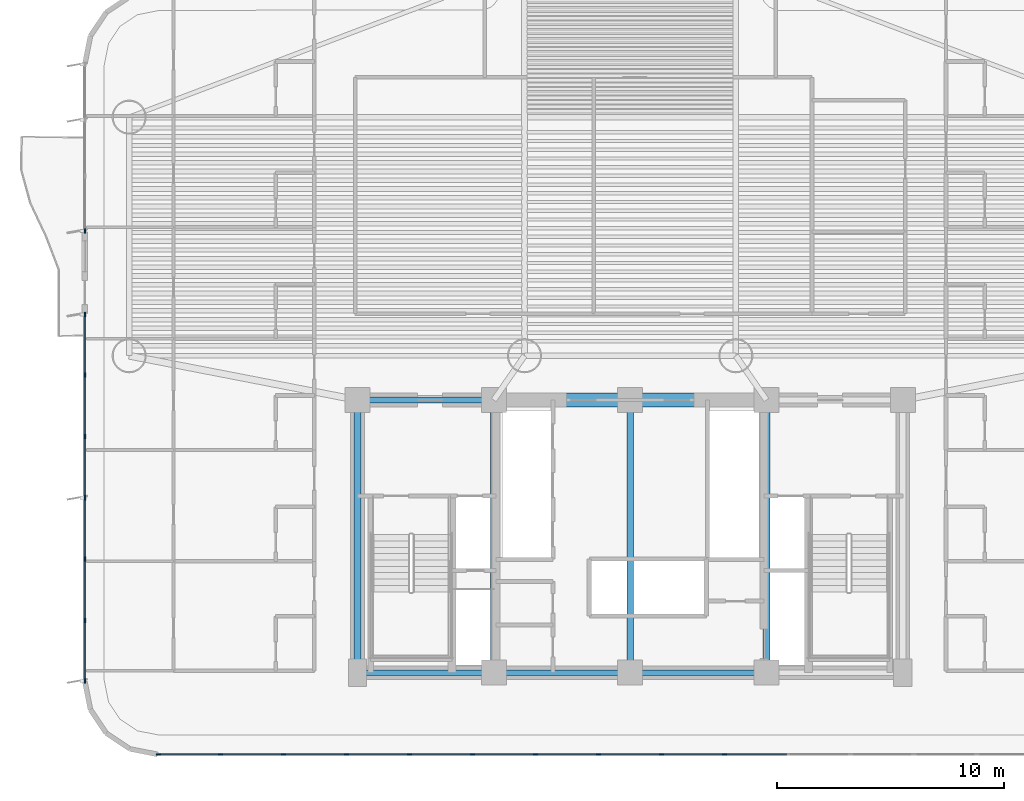
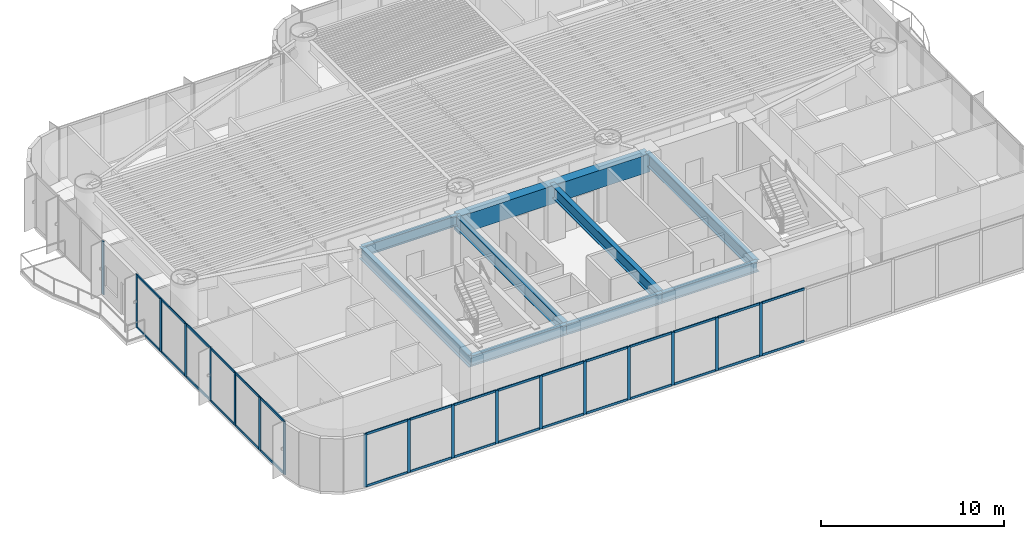
# One storey, part 2 of 19: 50 members, 9 beams, 3 elements without a shape of their own.
"""IFC4 building model written with IfcOpenShell, lengths in metres."""

from ifc_helpers import new_model, si_unit, direction, frame, origin, origin_2d, place, context, subcontext, project, spatial, rectangle, i_section, extrude, source, transform, mapped, material, layer, layer_set, material_profile, profile_set, type_object, element, aggregate, save


model = new_model("IFC4")

# Units and contexts
model_context = context("Model", 3, precision=1e-05, world=origin(), true_north=direction((0.0, 1.0)))
body_context = subcontext(model_context, "Body", "Model", "MODEL_VIEW")
ifc_project = project(units=[si_unit("LENGTHUNIT", "METRE"), si_unit("AREAUNIT", "SQUARE_METRE"), si_unit("VOLUMEUNIT", "CUBIC_METRE"), si_unit("PLANEANGLEUNIT", "RADIAN"), si_unit("MASSUNIT", "GRAM", prefix="KILO")], contexts=[model_context])

# Site, building, storey
site_placement = place(None, origin())
site = spatial("IfcSite", under=ifc_project, at=site_placement, CompositionType="ELEMENT")
building_placement = place(site_placement, origin())
building = spatial("IfcBuilding", under=site, at=building_placement, Name="Brelvock Crest Care Tower", CompositionType="ELEMENT")
storey_placement = place(building_placement, frame((0.0, 0.0, 68.580078125)))
storey = spatial("IfcBuildingStorey", under=building, at=storey_placement, Name="L17", CompositionType="ELEMENT", Elevation=68.580078125)

# Beams
ifc_material_1 = material(Name="Concrete S80 (80 MPa)", Category="concrete")
ifc_material_profile_1 = material_profile(ifc_material_1, rectangle(XDim=0.60009765625, YDim=1.199951171875, at=origin_2d()), Name="RC600x1200")
ifc_profile_set_1 = profile_set([ifc_material_profile_1], Name="Concrete S80 (80 MPa)")
beam_type_1 = type_object("IfcBeamType", Name="BM-LN1", PredefinedType="LINTEL", material=ifc_profile_set_1)
shared_shape_1 = source(origin(), body_context, "Body", "SweptSolid", [
    extrude(rectangle(XDim=0.60009765625, YDim=1.199951171875, at=origin_2d()), origin(), (0.0, 0.0, 1.0), 12.0),
])
beam_placement = place(storey_placement, frame((30.0, 18.0, 2.929931640625), z_axis=(1.0, 0.0, 0.0), x_axis=(0.0, 1.0, 0.0)))
element("IfcBeam", 1, at=beam_placement, inside=storey, type_object=beam_type_1, Name="L17 Core Coupling Lintel Beam", PredefinedType="LINTEL", context=body_context, shape_type="MappedRepresentation", body=[
    mapped(shared_shape_1, transform((0.0, 0.0, 0.0), x_axis=(1.0, 0.0, 0.0), y_axis=(0.0, 1.0, 0.0), z_axis=(0.0, 0.0, 1.0), scale=1.0)),
])
ifc_material_2 = material(Name="Steel Grade 350", Category="steel")
ifc_material_profile_2 = material_profile(ifc_material_2, i_section(OverallWidth=0.25, OverallDepth=0.699951171875, WebThickness=0.011962890625, FlangeThickness=0.02001953125, at=origin_2d()), Name="700WB150")
ifc_profile_set_2 = profile_set([ifc_material_profile_2], Name="Steel Grade 350")
beam_type_2 = type_object("IfcBeamType", Name="BM-G4", PredefinedType="BEAM", material=ifc_profile_set_2)
shared_shape_2 = source(origin(), body_context, "Body", "SweptSolid", [
    extrude(i_section(OverallWidth=0.25, OverallDepth=0.699951171875, WebThickness=0.011962890625, FlangeThickness=0.02001953125, at=origin_2d()), origin(), (0.0, 0.0, 1.0), 6.0),
])
for number, where, z_axis, x_axis, name in (
    (2, (24.0, 6.0, 3.179931640625), (1.0, 0.0, 0.0), (0.0, 1.0, 0.0), "BM-CORES-L17-1"),
    (3, (24.0, 18.0, 3.179931640625), (1.0, 0.0, 0.0), (0.0, 1.0, 0.0), "BM-COREN-L17-1"),
    (4, (30.0, 6.0, 3.179931640625), (1.0, 0.0, 0.0), (0.0, 1.0, 0.0), "BM-CORES-L17-2"),
    (5, (36.0, 6.0, 3.179931640625), (1.0, 0.0, 0.0), (0.0, 1.0, 0.0), "BM-CORES-L17-3"),
):
    element("IfcBeam", number, at=place(storey_placement, frame(where, z_axis=z_axis, x_axis=x_axis)), inside=storey, type_object=beam_type_2, Name=name, PredefinedType="BEAM", context=body_context, shape_type="MappedRepresentation", body=[
        mapped(shared_shape_2, transform((0.0, 0.0, 0.0), x_axis=(1.0, 0.0, 0.0), y_axis=(0.0, 1.0, 0.0), z_axis=(0.0, 0.0, 1.0), scale=1.0)),
    ])
ifc_material_profile_3 = material_profile(ifc_material_2, i_section(OverallWidth=0.300048828125, OverallDepth=0.800048828125, WebThickness=0.013916015625, FlangeThickness=0.02197265625, at=origin_2d()), Name="800WB192")
ifc_profile_set_3 = profile_set([ifc_material_profile_3], Name="Steel Grade 350")
beam_type_3 = type_object("IfcBeamType", Name="BM-G5", PredefinedType="BEAM", material=ifc_profile_set_3)
shared_shape_3 = source(origin(), body_context, "Body", "SweptSolid", [
    extrude(i_section(OverallWidth=0.300048828125, OverallDepth=0.800048828125, WebThickness=0.013916015625, FlangeThickness=0.02197265625, at=origin_2d()), origin(), (0.0, 0.0, 1.0), 12.0),
])
for number, where, z_axis, x_axis, name in (
    (6, (24.0, 6.0, 3.1298828125), (0.0, 1.0, 0.0), (-1.0, 0.0, 0.0), "BM-COREX-L17-1"),
    (7, (30.0, 6.0, 3.1298828125), (0.0, 1.0, 0.0), (-1.0, 0.0, 0.0), "BM-COREX-L17-2"),
    (8, (36.0, 6.0, 3.1298828125), (0.0, 1.0, 0.0), (-1.0, 0.0, 0.0), "BM-COREX-L17-3"),
    (9, (42.0, 6.0, 3.1298828125), (0.0, 1.0, 0.0), (-1.0, 0.0, 0.0), "BM-COREX-L17-4"),
):
    element("IfcBeam", number, at=place(storey_placement, frame(where, z_axis=z_axis, x_axis=x_axis)), inside=storey, type_object=beam_type_3, Name=name, PredefinedType="BEAM", context=body_context, shape_type="MappedRepresentation", body=[
        mapped(shared_shape_3, transform((0.0, 0.0, 0.0), x_axis=(1.0, 0.0, 0.0), y_axis=(0.0, 1.0, 0.0), z_axis=(0.0, 0.0, 1.0), scale=1.0)),
    ])

# Curtain wall, members
ifc_material_3 = material(Name="Dark Glass Double Glazed Low-E", Category="glass")
ifc_layer = layer(ifc_material_3, 0.195068359375, Name="CWS-2")
ifc_layer_set = layer_set([ifc_layer], Name="Dark Glass Double Glazed Low-E")
curtain_wall_type = type_object("IfcCurtainWallType", Name="CWS-2", PredefinedType="NOTDEFINED", material=ifc_layer_set)
curtain_wall_1_placement = place(storey_placement, origin())
curtain_wall_1 = element("IfcCurtainWall", 10, at=curtain_wall_1_placement, inside=storey, type_object=curtain_wall_type, Name="L17 Curtain Wall E08", PredefinedType="NOTDEFINED")
ifc_material_4 = material(Name="Aluminium 6063-T6", Category="aluminium")
ifc_material_profile_4 = material_profile(ifc_material_4, rectangle(XDim=0.06494140625, YDim=0.199951171875, at=origin_2d()), Name="ALU65x200")
ifc_profile_set_4 = profile_set([ifc_material_profile_4], Name="Aluminium 6063-T6")
member_type_1 = type_object("IfcMemberType", Name="CWM-1", PredefinedType="MULLION", material=ifc_profile_set_4)
shared_shape_4 = source(origin(), body_context, "Body", "SweptSolid", [
    extrude(rectangle(XDim=0.06494140625, YDim=0.199951171875, at=origin_2d()), origin(), (0.0, 0.0, 1.0), 3.530029296875),
])
member_1_placement = place(storey_placement, frame((40.159912109375, 2.39990234375, 0.0), z_axis=(0.0, 0.0, 1.0), x_axis=(0.0, -1.0, 0.0)))
member_1 = element("IfcMember", 11, at=member_1_placement, type_object=member_type_1, Name="CW-2 mullion 7", PredefinedType="MULLION", context=body_context, shape_type="MappedRepresentation", body=[
    mapped(shared_shape_4, transform((0.0, 0.0, 0.0), x_axis=(1.0, 0.0, 0.0), y_axis=(0.0, 1.0, 0.0), z_axis=(0.0, 0.0, 1.0), scale=1.0)),
])
member_2_placement = place(storey_placement, frame((37.38671875, 2.39990234375, 0.0), z_axis=(0.0, 0.0, 1.0), x_axis=(0.0, -1.0, 0.0)))
member_2 = element("IfcMember", 12, at=member_2_placement, type_object=member_type_1, Name="CW-2 mullion 8", PredefinedType="MULLION", context=body_context, shape_type="MappedRepresentation", body=[
    mapped(shared_shape_4, transform((0.0, 0.0, 0.0), x_axis=(1.0, 0.0, 0.0), y_axis=(0.0, 1.0, 0.0), z_axis=(0.0, 0.0, 1.0), scale=1.0)),
])
member_3_placement = place(storey_placement, frame((34.61328125, 2.39990234375, 0.0), z_axis=(0.0, 0.0, 1.0), x_axis=(0.0, -1.0, 0.0)))
member_3 = element("IfcMember", 13, at=member_3_placement, type_object=member_type_1, Name="CW-2 mullion 9", PredefinedType="MULLION", context=body_context, shape_type="MappedRepresentation", body=[
    mapped(shared_shape_4, transform((0.0, 0.0, 0.0), x_axis=(1.0, 0.0, 0.0), y_axis=(0.0, 1.0, 0.0), z_axis=(0.0, 0.0, 1.0), scale=1.0)),
])
member_4_placement = place(storey_placement, frame((31.840087890625, 2.39990234375, 0.0), z_axis=(0.0, 0.0, 1.0), x_axis=(0.0, -1.0, 0.0)))
member_4 = element("IfcMember", 14, at=member_4_placement, type_object=member_type_1, Name="CW-2 mullion 10", PredefinedType="MULLION", context=body_context, shape_type="MappedRepresentation", body=[
    mapped(shared_shape_4, transform((0.0, 0.0, 0.0), x_axis=(1.0, 0.0, 0.0), y_axis=(0.0, 1.0, 0.0), z_axis=(0.0, 0.0, 1.0), scale=1.0)),
])
member_5_placement = place(storey_placement, frame((29.066650390625, 2.39990234375, 0.0), z_axis=(0.0, 0.0, 1.0), x_axis=(0.0, -1.0, 0.0)))
member_5 = element("IfcMember", 15, at=member_5_placement, type_object=member_type_1, Name="CW-2 mullion 11", PredefinedType="MULLION", context=body_context, shape_type="MappedRepresentation", body=[
    mapped(shared_shape_4, transform((0.0, 0.0, 0.0), x_axis=(1.0, 0.0, 0.0), y_axis=(0.0, 1.0, 0.0), z_axis=(0.0, 0.0, 1.0), scale=1.0)),
])
member_6_placement = place(storey_placement, frame((26.293212890625, 2.39990234375, 0.0), z_axis=(0.0, 0.0, 1.0), x_axis=(0.0, -1.0, 0.0)))
member_6 = element("IfcMember", 16, at=member_6_placement, type_object=member_type_1, Name="CW-2 mullion 12", PredefinedType="MULLION", context=body_context, shape_type="MappedRepresentation", body=[
    mapped(shared_shape_4, transform((0.0, 0.0, 0.0), x_axis=(1.0, 0.0, 0.0), y_axis=(0.0, 1.0, 0.0), z_axis=(0.0, 0.0, 1.0), scale=1.0)),
])
member_7_placement = place(storey_placement, frame((23.52001953125, 2.39990234375, 0.0), z_axis=(0.0, 0.0, 1.0), x_axis=(0.0, -1.0, 0.0)))
member_7 = element("IfcMember", 17, at=member_7_placement, type_object=member_type_1, Name="CW-2 mullion 13", PredefinedType="MULLION", context=body_context, shape_type="MappedRepresentation", body=[
    mapped(shared_shape_4, transform((0.0, 0.0, 0.0), x_axis=(1.0, 0.0, 0.0), y_axis=(0.0, 1.0, 0.0), z_axis=(0.0, 0.0, 1.0), scale=1.0)),
])
member_8_placement = place(storey_placement, frame((20.74658203125, 2.39990234375, 0.0), z_axis=(0.0, 0.0, 1.0), x_axis=(0.0, -1.0, 0.0)))
member_8 = element("IfcMember", 18, at=member_8_placement, type_object=member_type_1, Name="CW-2 mullion 14", PredefinedType="MULLION", context=body_context, shape_type="MappedRepresentation", body=[
    mapped(shared_shape_4, transform((0.0, 0.0, 0.0), x_axis=(1.0, 0.0, 0.0), y_axis=(0.0, 1.0, 0.0), z_axis=(0.0, 0.0, 1.0), scale=1.0)),
])
member_9_placement = place(storey_placement, frame((17.973388671875, 2.39990234375, 0.0), z_axis=(0.0, 0.0, 1.0), x_axis=(0.0, -1.0, 0.0)))
member_9 = element("IfcMember", 19, at=member_9_placement, type_object=member_type_1, Name="CW-2 mullion 15", PredefinedType="MULLION", context=body_context, shape_type="MappedRepresentation", body=[
    mapped(shared_shape_4, transform((0.0, 0.0, 0.0), x_axis=(1.0, 0.0, 0.0), y_axis=(0.0, 1.0, 0.0), z_axis=(0.0, 0.0, 1.0), scale=1.0)),
])
member_10_placement = place(storey_placement, frame((15.232421875, 2.39990234375, 0.0), z_axis=(0.0, 0.0, 1.0), x_axis=(0.0, -1.0, 0.0)))
member_10 = element("IfcMember", 20, at=member_10_placement, type_object=member_type_1, Name="CW-2 mullion 16", PredefinedType="MULLION", context=body_context, shape_type="MappedRepresentation", body=[
    mapped(shared_shape_4, transform((0.0, 0.0, 0.0), x_axis=(1.0, 0.0, 0.0), y_axis=(0.0, 1.0, 0.0), z_axis=(0.0, 0.0, 1.0), scale=1.0)),
])

curtain_wall_2_placement = place(storey_placement, origin())
curtain_wall_2 = element("IfcCurtainWall", 21, at=curtain_wall_2_placement, inside=storey, type_object=curtain_wall_type, Name="L17 Curtain Wall E13A", PredefinedType="NOTDEFINED")
member_11_placement = place(storey_placement, frame((12.0, 5.632568359375, 0.0), z_axis=(0.0, 0.0, 1.0), x_axis=(-1.0, 0.0, 0.0)))
member_11 = element("IfcMember", 22, at=member_11_placement, type_object=member_type_1, Name="CW-2 mullion 1", PredefinedType="MULLION", context=body_context, shape_type="MappedRepresentation", body=[
    mapped(shared_shape_4, transform((0.0, 0.0, 0.0), x_axis=(1.0, 0.0, 0.0), y_axis=(0.0, 1.0, 0.0), z_axis=(0.0, 0.0, 1.0), scale=1.0)),
])
member_12_placement = place(storey_placement, frame((12.0, 8.300048828125, 0.0), z_axis=(0.0, 0.0, 1.0), x_axis=(-1.0, 0.0, 0.0)))
member_12 = element("IfcMember", 23, at=member_12_placement, type_object=member_type_1, Name="CW-2 mullion 2", PredefinedType="MULLION", context=body_context, shape_type="MappedRepresentation", body=[
    mapped(shared_shape_4, transform((0.0, 0.0, 0.0), x_axis=(1.0, 0.0, 0.0), y_axis=(0.0, 1.0, 0.0), z_axis=(0.0, 0.0, 1.0), scale=1.0)),
])
member_13_placement = place(storey_placement, frame((12.0, 11.0, 0.0), z_axis=(0.0, 0.0, 1.0), x_axis=(-1.0, 0.0, 0.0)))
member_13 = element("IfcMember", 24, at=member_13_placement, type_object=member_type_1, Name="CW-2 mullion 3", PredefinedType="MULLION", context=body_context, shape_type="MappedRepresentation", body=[
    mapped(shared_shape_4, transform((0.0, 0.0, 0.0), x_axis=(1.0, 0.0, 0.0), y_axis=(0.0, 1.0, 0.0), z_axis=(0.0, 0.0, 1.0), scale=1.0)),
])
member_14_placement = place(storey_placement, frame((12.0, 13.699951171875, 0.0), z_axis=(0.0, 0.0, 1.0), x_axis=(-1.0, 0.0, 0.0)))
member_14 = element("IfcMember", 25, at=member_14_placement, type_object=member_type_1, Name="CW-2 mullion 4", PredefinedType="MULLION", context=body_context, shape_type="MappedRepresentation", body=[
    mapped(shared_shape_4, transform((0.0, 0.0, 0.0), x_axis=(1.0, 0.0, 0.0), y_axis=(0.0, 1.0, 0.0), z_axis=(0.0, 0.0, 1.0), scale=1.0)),
])
member_15_placement = place(storey_placement, frame((12.0, 16.39990234375, 0.0), z_axis=(0.0, 0.0, 1.0), x_axis=(-1.0, 0.0, 0.0)))
member_15 = element("IfcMember", 26, at=member_15_placement, type_object=member_type_1, Name="CW-2 mullion 5", PredefinedType="MULLION", context=body_context, shape_type="MappedRepresentation", body=[
    mapped(shared_shape_4, transform((0.0, 0.0, 0.0), x_axis=(1.0, 0.0, 0.0), y_axis=(0.0, 1.0, 0.0), z_axis=(0.0, 0.0, 1.0), scale=1.0)),
])
member_16_placement = place(storey_placement, frame((12.0, 19.10009765625, 0.0), z_axis=(0.0, 0.0, 1.0), x_axis=(-1.0, 0.0, 0.0)))
member_16 = element("IfcMember", 27, at=member_16_placement, type_object=member_type_1, Name="CW-2 mullion 6", PredefinedType="MULLION", context=body_context, shape_type="MappedRepresentation", body=[
    mapped(shared_shape_4, transform((0.0, 0.0, 0.0), x_axis=(1.0, 0.0, 0.0), y_axis=(0.0, 1.0, 0.0), z_axis=(0.0, 0.0, 1.0), scale=1.0)),
])
member_17_placement = place(storey_placement, frame((12.0, 21.767578125, 0.0), z_axis=(0.0, 0.0, 1.0), x_axis=(-1.0, 0.0, 0.0)))
member_17 = element("IfcMember", 28, at=member_17_placement, type_object=member_type_1, Name="CW-2 mullion 7", PredefinedType="MULLION", context=body_context, shape_type="MappedRepresentation", body=[
    mapped(shared_shape_4, transform((0.0, 0.0, 0.0), x_axis=(1.0, 0.0, 0.0), y_axis=(0.0, 1.0, 0.0), z_axis=(0.0, 0.0, 1.0), scale=1.0)),
])

# Curtain wall, member
curtain_wall_3_placement = place(storey_placement, origin())
curtain_wall_3 = element("IfcCurtainWall", 29, at=curtain_wall_3_placement, inside=storey, type_object=curtain_wall_type, Name="L17 Curtain Wall E13B", PredefinedType="NOTDEFINED")
member_18_placement = place(storey_placement, frame((12.0, 25.4326171875, 0.0), z_axis=(0.0, 0.0, 1.0), x_axis=(-1.0, 0.0, 0.0)))
member_18 = element("IfcMember", 30, at=member_18_placement, type_object=member_type_1, Name="CW-2 mullion 1", PredefinedType="MULLION", context=body_context, shape_type="MappedRepresentation", body=[
    mapped(shared_shape_4, transform((0.0, 0.0, 0.0), x_axis=(1.0, 0.0, 0.0), y_axis=(0.0, 1.0, 0.0), z_axis=(0.0, 0.0, 1.0), scale=1.0)),
])
aggregate(curtain_wall_3, [member_18])

# Member
ifc_material_profile_5 = material_profile(ifc_material_4, rectangle(XDim=0.06494140625, YDim=0.14990234375, at=origin_2d()), Name="ALU65x150")
ifc_profile_set_5 = profile_set([ifc_material_profile_5], Name="Aluminium 6063-T6")
member_type_2 = type_object("IfcMemberType", Name="CWT-1", PredefinedType="USERDEFINED", material=ifc_profile_set_5)
shared_shape_5 = source(origin(), body_context, "Body", "SweptSolid", [
    extrude(rectangle(XDim=0.06494140625, YDim=0.14990234375, at=origin_2d()), origin(), (0.0, 0.0, 1.0), 2.676025390625),
])
member_19_placement = place(storey_placement, frame((17.94091796875, 2.39990234375, 0.032470703125), z_axis=(-1.0, 0.0, 0.0), x_axis=(0.0, -1.0, 0.0)))
member_19 = element("IfcMember", 31, at=member_19_placement, type_object=member_type_2, Name="CW-2 transom 15.1", ObjectType="TRANSOM", PredefinedType="USERDEFINED", context=body_context, shape_type="MappedRepresentation", body=[
    mapped(shared_shape_5, transform((0.0, 0.0, 0.0), x_axis=(1.0, 0.0, 0.0), y_axis=(0.0, 1.0, 0.0), z_axis=(0.0, 0.0, 1.0), scale=1.0)),
])

member_20_placement = place(storey_placement, frame((17.94091796875, 2.39990234375, 3.497314453125), z_axis=(-1.0, 0.0, 0.0), x_axis=(0.0, -1.0, 0.0)))
member_20 = element("IfcMember", 32, at=member_20_placement, type_object=member_type_2, Name="CW-2 transom 15.2", ObjectType="TRANSOM", PredefinedType="USERDEFINED", context=body_context, shape_type="MappedRepresentation", body=[
    mapped(shared_shape_5, transform((0.0, 0.0, 0.0), x_axis=(1.0, 0.0, 0.0), y_axis=(0.0, 1.0, 0.0), z_axis=(0.0, 0.0, 1.0), scale=1.0)),
])

shared_shape_6 = source(origin(), body_context, "Body", "SweptSolid", [
    extrude(rectangle(XDim=0.06494140625, YDim=0.14990234375, at=origin_2d()), origin(), (0.0, 0.0, 1.0), 2.708251953125),
])
member_21_placement = place(storey_placement, frame((40.12744140625, 2.39990234375, 0.032470703125), z_axis=(-1.0, 0.0, 0.0), x_axis=(0.0, -1.0, 0.0)))
member_21 = element("IfcMember", 33, at=member_21_placement, type_object=member_type_2, Name="CW-2 transom 7.1", ObjectType="TRANSOM", PredefinedType="USERDEFINED", context=body_context, shape_type="MappedRepresentation", body=[
    mapped(shared_shape_6, transform((0.0, 0.0, 0.0), x_axis=(1.0, 0.0, 0.0), y_axis=(0.0, 1.0, 0.0), z_axis=(0.0, 0.0, 1.0), scale=1.0)),
])

member_22_placement = place(storey_placement, frame((40.12744140625, 2.39990234375, 3.497314453125), z_axis=(-1.0, 0.0, 0.0), x_axis=(0.0, -1.0, 0.0)))
member_22 = element("IfcMember", 34, at=member_22_placement, type_object=member_type_2, Name="CW-2 transom 7.2", ObjectType="TRANSOM", PredefinedType="USERDEFINED", context=body_context, shape_type="MappedRepresentation", body=[
    mapped(shared_shape_6, transform((0.0, 0.0, 0.0), x_axis=(1.0, 0.0, 0.0), y_axis=(0.0, 1.0, 0.0), z_axis=(0.0, 0.0, 1.0), scale=1.0)),
])

member_23_placement = place(storey_placement, frame((34.580810546875, 2.39990234375, 0.032470703125), z_axis=(-1.0, 0.0, 0.0), x_axis=(0.0, -1.0, 0.0)))
member_23 = element("IfcMember", 35, at=member_23_placement, type_object=member_type_2, Name="CW-2 transom 9.1", ObjectType="TRANSOM", PredefinedType="USERDEFINED", context=body_context, shape_type="MappedRepresentation", body=[
    mapped(shared_shape_6, transform((0.0, 0.0, 0.0), x_axis=(1.0, 0.0, 0.0), y_axis=(0.0, 1.0, 0.0), z_axis=(0.0, 0.0, 1.0), scale=1.0)),
])

member_24_placement = place(storey_placement, frame((34.580810546875, 2.39990234375, 3.497314453125), z_axis=(-1.0, 0.0, 0.0), x_axis=(0.0, -1.0, 0.0)))
member_24 = element("IfcMember", 36, at=member_24_placement, type_object=member_type_2, Name="CW-2 transom 9.2", ObjectType="TRANSOM", PredefinedType="USERDEFINED", context=body_context, shape_type="MappedRepresentation", body=[
    mapped(shared_shape_6, transform((0.0, 0.0, 0.0), x_axis=(1.0, 0.0, 0.0), y_axis=(0.0, 1.0, 0.0), z_axis=(0.0, 0.0, 1.0), scale=1.0)),
])

member_25_placement = place(storey_placement, frame((29.0341796875, 2.39990234375, 0.032470703125), z_axis=(-1.0, 0.0, 0.0), x_axis=(0.0, -1.0, 0.0)))
member_25 = element("IfcMember", 37, at=member_25_placement, type_object=member_type_2, Name="CW-2 transom 11.1", ObjectType="TRANSOM", PredefinedType="USERDEFINED", context=body_context, shape_type="MappedRepresentation", body=[
    mapped(shared_shape_6, transform((0.0, 0.0, 0.0), x_axis=(1.0, 0.0, 0.0), y_axis=(0.0, 1.0, 0.0), z_axis=(0.0, 0.0, 1.0), scale=1.0)),
])

member_26_placement = place(storey_placement, frame((29.0341796875, 2.39990234375, 3.497314453125), z_axis=(-1.0, 0.0, 0.0), x_axis=(0.0, -1.0, 0.0)))
member_26 = element("IfcMember", 38, at=member_26_placement, type_object=member_type_2, Name="CW-2 transom 11.2", ObjectType="TRANSOM", PredefinedType="USERDEFINED", context=body_context, shape_type="MappedRepresentation", body=[
    mapped(shared_shape_6, transform((0.0, 0.0, 0.0), x_axis=(1.0, 0.0, 0.0), y_axis=(0.0, 1.0, 0.0), z_axis=(0.0, 0.0, 1.0), scale=1.0)),
])

member_27_placement = place(storey_placement, frame((26.2607421875, 2.39990234375, 0.032470703125), z_axis=(-1.0, 0.0, 0.0), x_axis=(0.0, -1.0, 0.0)))
member_27 = element("IfcMember", 39, at=member_27_placement, type_object=member_type_2, Name="CW-2 transom 12.1", ObjectType="TRANSOM", PredefinedType="USERDEFINED", context=body_context, shape_type="MappedRepresentation", body=[
    mapped(shared_shape_6, transform((0.0, 0.0, 0.0), x_axis=(1.0, 0.0, 0.0), y_axis=(0.0, 1.0, 0.0), z_axis=(0.0, 0.0, 1.0), scale=1.0)),
])

member_28_placement = place(storey_placement, frame((26.2607421875, 2.39990234375, 3.497314453125), z_axis=(-1.0, 0.0, 0.0), x_axis=(0.0, -1.0, 0.0)))
member_28 = element("IfcMember", 40, at=member_28_placement, type_object=member_type_2, Name="CW-2 transom 12.2", ObjectType="TRANSOM", PredefinedType="USERDEFINED", context=body_context, shape_type="MappedRepresentation", body=[
    mapped(shared_shape_6, transform((0.0, 0.0, 0.0), x_axis=(1.0, 0.0, 0.0), y_axis=(0.0, 1.0, 0.0), z_axis=(0.0, 0.0, 1.0), scale=1.0)),
])

member_29_placement = place(storey_placement, frame((20.714111328125, 2.39990234375, 0.032470703125), z_axis=(-1.0, 0.0, 0.0), x_axis=(0.0, -1.0, 0.0)))
member_29 = element("IfcMember", 41, at=member_29_placement, type_object=member_type_2, Name="CW-2 transom 14.1", ObjectType="TRANSOM", PredefinedType="USERDEFINED", context=body_context, shape_type="MappedRepresentation", body=[
    mapped(shared_shape_6, transform((0.0, 0.0, 0.0), x_axis=(1.0, 0.0, 0.0), y_axis=(0.0, 1.0, 0.0), z_axis=(0.0, 0.0, 1.0), scale=1.0)),
])

member_30_placement = place(storey_placement, frame((20.714111328125, 2.39990234375, 3.497314453125), z_axis=(-1.0, 0.0, 0.0), x_axis=(0.0, -1.0, 0.0)))
member_30 = element("IfcMember", 42, at=member_30_placement, type_object=member_type_2, Name="CW-2 transom 14.2", ObjectType="TRANSOM", PredefinedType="USERDEFINED", context=body_context, shape_type="MappedRepresentation", body=[
    mapped(shared_shape_6, transform((0.0, 0.0, 0.0), x_axis=(1.0, 0.0, 0.0), y_axis=(0.0, 1.0, 0.0), z_axis=(0.0, 0.0, 1.0), scale=1.0)),
])

shared_shape_7 = source(origin(), body_context, "Body", "SweptSolid", [
    extrude(rectangle(XDim=0.06494140625, YDim=0.14990234375, at=origin_2d()), origin(), (0.0, 0.0, 1.0), 2.70849609375),
])
member_31_placement = place(storey_placement, frame((42.90087890625, 2.39990234375, 0.032470703125), z_axis=(-1.0, 0.0, 0.0), x_axis=(0.0, -1.0, 0.0)))
member_31 = element("IfcMember", 43, at=member_31_placement, type_object=member_type_2, Name="CW-2 transom 6.1", ObjectType="TRANSOM", PredefinedType="USERDEFINED", context=body_context, shape_type="MappedRepresentation", body=[
    mapped(shared_shape_7, transform((0.0, 0.0, 0.0), x_axis=(1.0, 0.0, 0.0), y_axis=(0.0, 1.0, 0.0), z_axis=(0.0, 0.0, 1.0), scale=1.0)),
])

member_32_placement = place(storey_placement, frame((42.90087890625, 2.39990234375, 3.497314453125), z_axis=(-1.0, 0.0, 0.0), x_axis=(0.0, -1.0, 0.0)))
member_32 = element("IfcMember", 44, at=member_32_placement, type_object=member_type_2, Name="CW-2 transom 6.2", ObjectType="TRANSOM", PredefinedType="USERDEFINED", context=body_context, shape_type="MappedRepresentation", body=[
    mapped(shared_shape_7, transform((0.0, 0.0, 0.0), x_axis=(1.0, 0.0, 0.0), y_axis=(0.0, 1.0, 0.0), z_axis=(0.0, 0.0, 1.0), scale=1.0)),
])

member_33_placement = place(storey_placement, frame((37.354248046875, 2.39990234375, 0.032470703125), z_axis=(-1.0, 0.0, 0.0), x_axis=(0.0, -1.0, 0.0)))
member_33 = element("IfcMember", 45, at=member_33_placement, type_object=member_type_2, Name="CW-2 transom 8.1", ObjectType="TRANSOM", PredefinedType="USERDEFINED", context=body_context, shape_type="MappedRepresentation", body=[
    mapped(shared_shape_7, transform((0.0, 0.0, 0.0), x_axis=(1.0, 0.0, 0.0), y_axis=(0.0, 1.0, 0.0), z_axis=(0.0, 0.0, 1.0), scale=1.0)),
])

member_34_placement = place(storey_placement, frame((37.354248046875, 2.39990234375, 3.497314453125), z_axis=(-1.0, 0.0, 0.0), x_axis=(0.0, -1.0, 0.0)))
member_34 = element("IfcMember", 46, at=member_34_placement, type_object=member_type_2, Name="CW-2 transom 8.2", ObjectType="TRANSOM", PredefinedType="USERDEFINED", context=body_context, shape_type="MappedRepresentation", body=[
    mapped(shared_shape_7, transform((0.0, 0.0, 0.0), x_axis=(1.0, 0.0, 0.0), y_axis=(0.0, 1.0, 0.0), z_axis=(0.0, 0.0, 1.0), scale=1.0)),
])

member_35_placement = place(storey_placement, frame((31.8076171875, 2.39990234375, 0.032470703125), z_axis=(-1.0, 0.0, 0.0), x_axis=(0.0, -1.0, 0.0)))
member_35 = element("IfcMember", 47, at=member_35_placement, type_object=member_type_2, Name="CW-2 transom 10.1", ObjectType="TRANSOM", PredefinedType="USERDEFINED", context=body_context, shape_type="MappedRepresentation", body=[
    mapped(shared_shape_7, transform((0.0, 0.0, 0.0), x_axis=(1.0, 0.0, 0.0), y_axis=(0.0, 1.0, 0.0), z_axis=(0.0, 0.0, 1.0), scale=1.0)),
])

member_36_placement = place(storey_placement, frame((31.8076171875, 2.39990234375, 3.497314453125), z_axis=(-1.0, 0.0, 0.0), x_axis=(0.0, -1.0, 0.0)))
member_36 = element("IfcMember", 48, at=member_36_placement, type_object=member_type_2, Name="CW-2 transom 10.2", ObjectType="TRANSOM", PredefinedType="USERDEFINED", context=body_context, shape_type="MappedRepresentation", body=[
    mapped(shared_shape_7, transform((0.0, 0.0, 0.0), x_axis=(1.0, 0.0, 0.0), y_axis=(0.0, 1.0, 0.0), z_axis=(0.0, 0.0, 1.0), scale=1.0)),
])

member_37_placement = place(storey_placement, frame((23.487548828125, 2.39990234375, 0.032470703125), z_axis=(-1.0, 0.0, 0.0), x_axis=(0.0, -1.0, 0.0)))
member_37 = element("IfcMember", 49, at=member_37_placement, type_object=member_type_2, Name="CW-2 transom 13.1", ObjectType="TRANSOM", PredefinedType="USERDEFINED", context=body_context, shape_type="MappedRepresentation", body=[
    mapped(shared_shape_7, transform((0.0, 0.0, 0.0), x_axis=(1.0, 0.0, 0.0), y_axis=(0.0, 1.0, 0.0), z_axis=(0.0, 0.0, 1.0), scale=1.0)),
])

member_38_placement = place(storey_placement, frame((23.487548828125, 2.39990234375, 3.497314453125), z_axis=(-1.0, 0.0, 0.0), x_axis=(0.0, -1.0, 0.0)))
member_38 = element("IfcMember", 50, at=member_38_placement, type_object=member_type_2, Name="CW-2 transom 13.2", ObjectType="TRANSOM", PredefinedType="USERDEFINED", context=body_context, shape_type="MappedRepresentation", body=[
    mapped(shared_shape_7, transform((0.0, 0.0, 0.0), x_axis=(1.0, 0.0, 0.0), y_axis=(0.0, 1.0, 0.0), z_axis=(0.0, 0.0, 1.0), scale=1.0)),
])

aggregate(curtain_wall_1, [member_1, member_2, member_3, member_4, member_5, member_6, member_7, member_8, member_9, member_10, member_31, member_32, member_21, member_22, member_33, member_34, member_23, member_24, member_35, member_36, member_25, member_26, member_27, member_28, member_37, member_38, member_29, member_30, member_19, member_20])

shared_shape_8 = source(origin(), body_context, "Body", "SweptSolid", [
    extrude(rectangle(XDim=0.06494140625, YDim=0.14990234375, at=origin_2d()), origin(), (0.0, 0.0, 1.0), 2.6025390625),
])
member_39_placement = place(storey_placement, frame((12.0, 5.6650390625, 0.032470703125), z_axis=(0.0, 1.0, 0.0), x_axis=(-1.0, 0.0, 0.0)))
member_39 = element("IfcMember", 51, at=member_39_placement, type_object=member_type_2, Name="CW-2 transom 1.1", ObjectType="TRANSOM", PredefinedType="USERDEFINED", context=body_context, shape_type="MappedRepresentation", body=[
    mapped(shared_shape_8, transform((0.0, 0.0, 0.0), x_axis=(1.0, 0.0, 0.0), y_axis=(0.0, 1.0, 0.0), z_axis=(0.0, 0.0, 1.0), scale=1.0)),
])

member_40_placement = place(storey_placement, frame((12.0, 5.6650390625, 3.497314453125), z_axis=(0.0, 1.0, 0.0), x_axis=(-1.0, 0.0, 0.0)))
member_40 = element("IfcMember", 52, at=member_40_placement, type_object=member_type_2, Name="CW-2 transom 1.2", ObjectType="TRANSOM", PredefinedType="USERDEFINED", context=body_context, shape_type="MappedRepresentation", body=[
    mapped(shared_shape_8, transform((0.0, 0.0, 0.0), x_axis=(1.0, 0.0, 0.0), y_axis=(0.0, 1.0, 0.0), z_axis=(0.0, 0.0, 1.0), scale=1.0)),
])

member_41_placement = place(storey_placement, frame((12.0, 19.132568359375, 0.032470703125), z_axis=(0.0, 1.0, 0.0), x_axis=(-1.0, 0.0, 0.0)))
member_41 = element("IfcMember", 53, at=member_41_placement, type_object=member_type_2, Name="CW-2 transom 6.1", ObjectType="TRANSOM", PredefinedType="USERDEFINED", context=body_context, shape_type="MappedRepresentation", body=[
    mapped(shared_shape_8, transform((0.0, 0.0, 0.0), x_axis=(1.0, 0.0, 0.0), y_axis=(0.0, 1.0, 0.0), z_axis=(0.0, 0.0, 1.0), scale=1.0)),
])

member_42_placement = place(storey_placement, frame((12.0, 19.132568359375, 3.497314453125), z_axis=(0.0, 1.0, 0.0), x_axis=(-1.0, 0.0, 0.0)))
member_42 = element("IfcMember", 54, at=member_42_placement, type_object=member_type_2, Name="CW-2 transom 6.2", ObjectType="TRANSOM", PredefinedType="USERDEFINED", context=body_context, shape_type="MappedRepresentation", body=[
    mapped(shared_shape_8, transform((0.0, 0.0, 0.0), x_axis=(1.0, 0.0, 0.0), y_axis=(0.0, 1.0, 0.0), z_axis=(0.0, 0.0, 1.0), scale=1.0)),
])

shared_shape_9 = source(origin(), body_context, "Body", "SweptSolid", [
    extrude(rectangle(XDim=0.06494140625, YDim=0.14990234375, at=origin_2d()), origin(), (0.0, 0.0, 1.0), 2.635009765625),
])
member_43_placement = place(storey_placement, frame((12.0, 8.33251953125, 0.032470703125), z_axis=(0.0, 1.0, 0.0), x_axis=(-1.0, 0.0, 0.0)))
member_43 = element("IfcMember", 55, at=member_43_placement, type_object=member_type_2, Name="CW-2 transom 2.1", ObjectType="TRANSOM", PredefinedType="USERDEFINED", context=body_context, shape_type="MappedRepresentation", body=[
    mapped(shared_shape_9, transform((0.0, 0.0, 0.0), x_axis=(1.0, 0.0, 0.0), y_axis=(0.0, 1.0, 0.0), z_axis=(0.0, 0.0, 1.0), scale=1.0)),
])

member_44_placement = place(storey_placement, frame((12.0, 8.33251953125, 3.497314453125), z_axis=(0.0, 1.0, 0.0), x_axis=(-1.0, 0.0, 0.0)))
member_44 = element("IfcMember", 56, at=member_44_placement, type_object=member_type_2, Name="CW-2 transom 2.2", ObjectType="TRANSOM", PredefinedType="USERDEFINED", context=body_context, shape_type="MappedRepresentation", body=[
    mapped(shared_shape_9, transform((0.0, 0.0, 0.0), x_axis=(1.0, 0.0, 0.0), y_axis=(0.0, 1.0, 0.0), z_axis=(0.0, 0.0, 1.0), scale=1.0)),
])

member_45_placement = place(storey_placement, frame((12.0, 11.032470703125, 0.032470703125), z_axis=(0.0, 1.0, 0.0), x_axis=(-1.0, 0.0, 0.0)))
member_45 = element("IfcMember", 57, at=member_45_placement, type_object=member_type_2, Name="CW-2 transom 3.1", ObjectType="TRANSOM", PredefinedType="USERDEFINED", context=body_context, shape_type="MappedRepresentation", body=[
    mapped(shared_shape_9, transform((0.0, 0.0, 0.0), x_axis=(1.0, 0.0, 0.0), y_axis=(0.0, 1.0, 0.0), z_axis=(0.0, 0.0, 1.0), scale=1.0)),
])

member_46_placement = place(storey_placement, frame((12.0, 11.032470703125, 3.497314453125), z_axis=(0.0, 1.0, 0.0), x_axis=(-1.0, 0.0, 0.0)))
member_46 = element("IfcMember", 58, at=member_46_placement, type_object=member_type_2, Name="CW-2 transom 3.2", ObjectType="TRANSOM", PredefinedType="USERDEFINED", context=body_context, shape_type="MappedRepresentation", body=[
    mapped(shared_shape_9, transform((0.0, 0.0, 0.0), x_axis=(1.0, 0.0, 0.0), y_axis=(0.0, 1.0, 0.0), z_axis=(0.0, 0.0, 1.0), scale=1.0)),
])

member_47_placement = place(storey_placement, frame((12.0, 13.732421875, 0.032470703125), z_axis=(0.0, 1.0, 0.0), x_axis=(-1.0, 0.0, 0.0)))
member_47 = element("IfcMember", 59, at=member_47_placement, type_object=member_type_2, Name="CW-2 transom 4.1", ObjectType="TRANSOM", PredefinedType="USERDEFINED", context=body_context, shape_type="MappedRepresentation", body=[
    mapped(shared_shape_9, transform((0.0, 0.0, 0.0), x_axis=(1.0, 0.0, 0.0), y_axis=(0.0, 1.0, 0.0), z_axis=(0.0, 0.0, 1.0), scale=1.0)),
])

member_48_placement = place(storey_placement, frame((12.0, 13.732421875, 3.497314453125), z_axis=(0.0, 1.0, 0.0), x_axis=(-1.0, 0.0, 0.0)))
member_48 = element("IfcMember", 60, at=member_48_placement, type_object=member_type_2, Name="CW-2 transom 4.2", ObjectType="TRANSOM", PredefinedType="USERDEFINED", context=body_context, shape_type="MappedRepresentation", body=[
    mapped(shared_shape_9, transform((0.0, 0.0, 0.0), x_axis=(1.0, 0.0, 0.0), y_axis=(0.0, 1.0, 0.0), z_axis=(0.0, 0.0, 1.0), scale=1.0)),
])

shared_shape_10 = source(origin(), body_context, "Body", "SweptSolid", [
    extrude(rectangle(XDim=0.06494140625, YDim=0.14990234375, at=origin_2d()), origin(), (0.0, 0.0, 1.0), 2.634765625),
])
member_49_placement = place(storey_placement, frame((12.0, 16.4326171875, 0.032470703125), z_axis=(0.0, 1.0, 0.0), x_axis=(-1.0, 0.0, 0.0)))
member_49 = element("IfcMember", 61, at=member_49_placement, type_object=member_type_2, Name="CW-2 transom 5.1", ObjectType="TRANSOM", PredefinedType="USERDEFINED", context=body_context, shape_type="MappedRepresentation", body=[
    mapped(shared_shape_10, transform((0.0, 0.0, 0.0), x_axis=(1.0, 0.0, 0.0), y_axis=(0.0, 1.0, 0.0), z_axis=(0.0, 0.0, 1.0), scale=1.0)),
])

member_50_placement = place(storey_placement, frame((12.0, 16.4326171875, 3.497314453125), z_axis=(0.0, 1.0, 0.0), x_axis=(-1.0, 0.0, 0.0)))
member_50 = element("IfcMember", 62, at=member_50_placement, type_object=member_type_2, Name="CW-2 transom 5.2", ObjectType="TRANSOM", PredefinedType="USERDEFINED", context=body_context, shape_type="MappedRepresentation", body=[
    mapped(shared_shape_10, transform((0.0, 0.0, 0.0), x_axis=(1.0, 0.0, 0.0), y_axis=(0.0, 1.0, 0.0), z_axis=(0.0, 0.0, 1.0), scale=1.0)),
])

aggregate(curtain_wall_2, [member_11, member_12, member_13, member_14, member_15, member_16, member_17, member_39, member_40, member_43, member_44, member_45, member_46, member_47, member_48, member_49, member_50, member_41, member_42])

save(model, "model.ifc")
